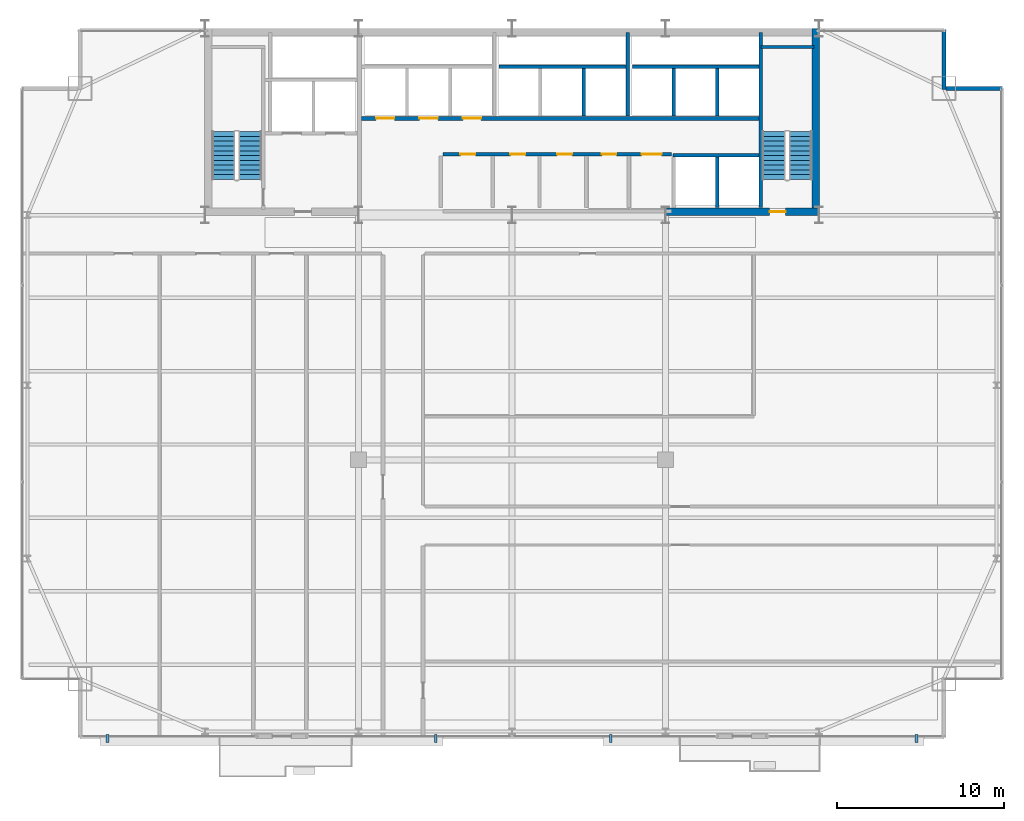
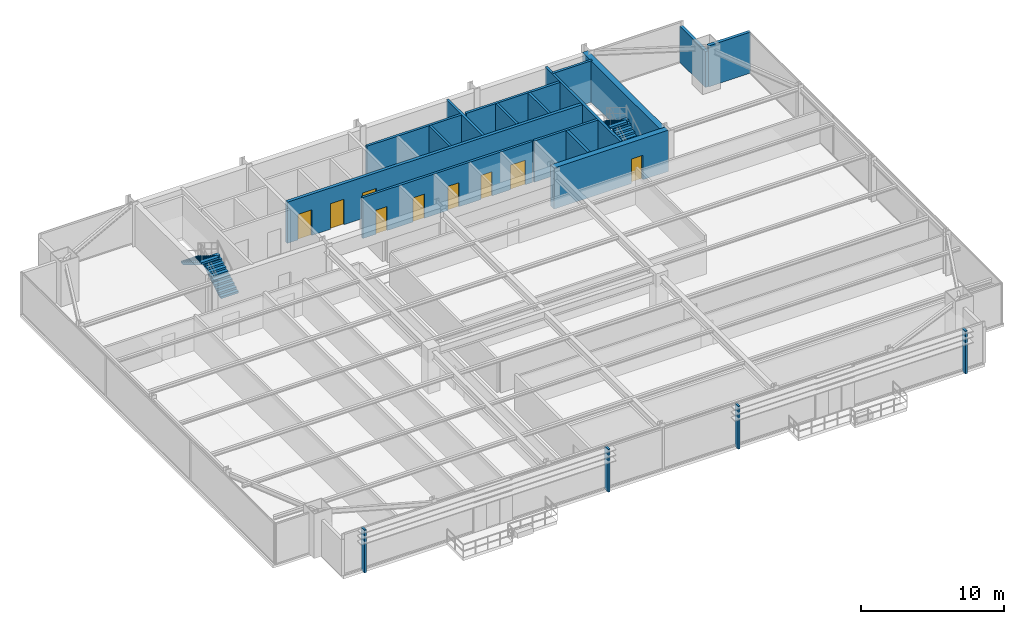
# One storey, part 29 of 31: 16 walls, 9 doors, 4 discrete accessories, 4 stair flights, 9 openings, 2 elements without a shape of their own.
"""IFC4 building model written with IfcOpenShell, lengths in metres."""

from ifc_helpers import new_model, si_unit, direction, frame, frame_2d, origin, origin_2d, place, context, subcontext, project, spatial, polyline, rectangle, outline, extrude, source, transform, mapped, material, layer, layer_set, type_object, type_shapes, element, fill, aggregate, save


model = new_model("IFC4")

# Units and contexts
model_context = context("Model", 3, precision=1e-05, world=origin(), true_north=direction((0.0, 1.0)))
body_context = subcontext(model_context, "Body", "Model", "MODEL_VIEW")
ifc_project = project(units=[si_unit("LENGTHUNIT", "METRE"), si_unit("AREAUNIT", "SQUARE_METRE"), si_unit("VOLUMEUNIT", "CUBIC_METRE"), si_unit("PLANEANGLEUNIT", "RADIAN"), si_unit("MASSUNIT", "GRAM", prefix="KILO")], contexts=[model_context])

# Site, building, storey
site_placement = place(None, origin())
site = spatial("IfcSite", under=ifc_project, at=site_placement, CompositionType="ELEMENT")
building_placement = place(site_placement, origin())
building = spatial("IfcBuilding", under=site, at=building_placement, Name="Varnel Quay Broadcast Tower", CompositionType="ELEMENT")
storey_placement = place(building_placement, frame((0.0, 0.0, 94.60009765625)))
storey = spatial("IfcBuildingStorey", under=building, at=storey_placement, Name="L22", CompositionType="ELEMENT", Elevation=94.60009765625)

# Walls
ifc_material_1 = material(Name="Concrete CSA A23.3 C50/60", Category="concrete")
ifc_layer_1 = layer(ifc_material_1, 0.199951171875, Name="Concrete CSA A23.3 C50/60")
ifc_layer_set_1 = layer_set([ifc_layer_1], Name="Concrete CSA A23.3 C50/60")
wall_type_1 = type_object("IfcWallType", Name="Wall_CoreShaftShear200", PredefinedType="SHEAR", material=ifc_layer_set_1)
wall_1_placement = place(storey_placement, frame((48.919921875, 36.050048828125, 0.0), z_axis=(0.0, 0.0, 1.0), x_axis=(0.0, 1.0, 0.0)))
element("IfcWall", 1, at=wall_1_placement, inside=storey, type_object=wall_type_1, Name="L22 Stair 2 West Structural Wall", PredefinedType="SHEAR", context=body_context, shape_type="SweptSolid", body=[
    extrude(rectangle(XDim=10.5, YDim=0.199951171875, at=frame_2d((5.25, 0.0))), origin(), (0.0, 0.0, 1.0), 3.52001953125),
])
wall_2_placement = place(storey_placement, frame((48.919921875, 45.679931640625, 0.0), z_axis=(0.0, 0.0, 1.0), x_axis=(1.0, 0.0, 0.0)))
element("IfcWall", 2, at=wall_2_placement, inside=storey, type_object=wall_type_1, Name="L22 Stair 2 North Structural Wall", PredefinedType="SHEAR", context=body_context, shape_type="SweptSolid", body=[
    extrude(rectangle(XDim=3.18017578125, YDim=0.199951171875, at=frame_2d((1.590087890625, 0.0))), origin(), (0.0, 0.0, 1.0), 3.52001953125),
])
wall_3_placement = place(storey_placement, frame((33.219970703125, 44.5, 0.0), z_axis=(0.0, 0.0, 1.0), x_axis=(1.0, 0.0, 0.0)))
element("IfcWall", 3, at=wall_3_placement, inside=storey, type_object=wall_type_1, Name="L22 Mid-Rise Lift Shaft Rear Wall", PredefinedType="SHEAR", context=body_context, shape_type="SweptSolid", body=[
    extrude(rectangle(XDim=7.630126953125, YDim=0.199951171875, at=frame_2d((3.81494140625, 0.0))), origin(), (0.0, 0.0, 1.0), 3.52001953125),
])
wall_4_placement = place(storey_placement, frame((38.300048828125, 41.530029296875, 0.0), z_axis=(0.0, 0.0, 1.0), x_axis=(0.0, 1.0, 0.0)))
element("IfcWall", 4, at=wall_4_placement, inside=storey, type_object=wall_type_1, Name="L22 Mid-Rise Lift Shaft Divider 3", PredefinedType="SHEAR", context=body_context, shape_type="SweptSolid", body=[
    extrude(rectangle(XDim=2.869873046875, YDim=0.199951171875, at=frame_2d((1.43505859375, 0.0))), origin(), (0.0, 0.0, 1.0), 3.52001953125),
])
wall_5_placement = place(storey_placement, frame((40.949951171875, 41.530029296875, 0.0), z_axis=(0.0, 0.0, 1.0), x_axis=(0.0, 1.0, 0.0)))
element("IfcWall", 5, at=wall_5_placement, inside=storey, type_object=wall_type_1, Name="L22 Mid-Rise Lift Shaft Divider 4", PredefinedType="SHEAR", context=body_context, shape_type="SweptSolid", body=[
    extrude(rectangle(XDim=5.02001953125, YDim=0.199951171875, at=frame_2d((2.510009765625, 0.0))), origin(), (0.0, 0.0, 1.0), 3.52001953125),
])
wall_6_placement = place(storey_placement, frame((41.219970703125, 44.5, 0.0), z_axis=(0.0, 0.0, 1.0), x_axis=(1.0, 0.0, 0.0)))
element("IfcWall", 6, at=wall_6_placement, inside=storey, type_object=wall_type_1, Name="L22 High-Rise Lift Shaft Rear Wall", PredefinedType="SHEAR", context=body_context, shape_type="SweptSolid", body=[
    extrude(rectangle(XDim=7.580078125, YDim=0.199951171875, at=frame_2d((3.7900390625, 0.0))), origin(), (0.0, 0.0, 1.0), 3.52001953125),
])
for number, where, z_axis, x_axis, name in (
    (7, (43.699951171875, 41.530029296875, 0.0), (0.0, 0.0, 1.0), (0.0, 1.0, 0.0), "L22 High-Rise Lift Shaft Divider 2"),
    (8, (46.300048828125, 41.530029296875, 0.0), (0.0, 0.0, 1.0), (0.0, 1.0, 0.0), "L22 High-Rise Lift Shaft Divider 3"),
):
    element("IfcWall", number, at=place(storey_placement, frame(where, z_axis=z_axis, x_axis=x_axis)), inside=storey, type_object=wall_type_1, Name=name, PredefinedType="SHEAR", context=body_context, shape_type="SweptSolid", body=[
        extrude(rectangle(XDim=2.869873046875, YDim=0.199951171875, at=frame_2d((1.43505859375, 0.0))), origin(), (0.0, 0.0, 1.0), 3.52001953125),
    ])
wall_7_placement = place(storey_placement, frame((46.300048828125, 36.050048828125, 0.0), z_axis=(0.0, 0.0, 1.0), x_axis=(0.0, 1.0, 0.0)))
element("IfcWall", 9, at=wall_7_placement, inside=storey, type_object=wall_type_1, Name="L22 Express Lift Shaft Divider", PredefinedType="SHEAR", context=body_context, shape_type="SweptSolid", body=[
    extrude(rectangle(XDim=3.050048828125, YDim=0.199951171875, at=frame_2d((1.52490234375, 0.0))), origin(), (0.0, 0.0, 1.0), 3.52001953125),
])
wall_8_placement = place(storey_placement, frame((43.64990234375, 39.199951171875, 0.0), z_axis=(0.0, 0.0, 1.0), x_axis=(1.0, 0.0, 0.0)))
element("IfcWall", 10, at=wall_8_placement, inside=storey, type_object=wall_type_1, Name="L22 Express Lift Shaft North Front Wall", PredefinedType="SHEAR", context=body_context, shape_type="SweptSolid", body=[
    extrude(rectangle(XDim=5.150146484375, YDim=0.199951171875, at=frame_2d((2.5751953125, 0.0))), origin(), (0.0, 0.0, 1.0), 3.52001953125),
])

# Wall, openings, doors
ifc_layer_2 = layer(ifc_material_1, 0.25, Name="Concrete CSA A23.3 C50/60")
ifc_layer_set_2 = layer_set([ifc_layer_2], Name="Concrete CSA A23.3 C50/60")
wall_type_2 = type_object("IfcWallType", Name="Wall_CoreShaftShear250", PredefinedType="SHEAR", material=ifc_layer_set_2)
wall_9_placement = place(storey_placement, frame((24.97998046875, 41.39990234375, 0.0), z_axis=(0.0, 0.0, 1.0), x_axis=(1.0, 0.0, 0.0)))
wall_9 = element("IfcWall", 11, at=wall_9_placement, inside=storey, type_object=wall_type_2, Name="L22 North Lift Bank & Reclaimed Suite Wall", PredefinedType="SHEAR", context=body_context, shape_type="SweptSolid", body=[
    extrude(rectangle(XDim=23.820068359375, YDim=0.25, at=frame_2d((11.91015625, 0.0))), origin(), (0.0, 0.0, 1.0), 3.52001953125),
])
opening_1_placement = place(wall_9_placement, frame((0.8701171875, 0.0, 0.0)))
opening_1 = element("IfcOpeningElement", 12, at=opening_1_placement, cuts=wall_9, Name="Opening LD-L22-PL-01", PredefinedType="OPENING", context=body_context, shape_type="SweptSolid", body=[
    extrude(rectangle(XDim=1.10009765625, YDim=2.179931640625, at=frame_2d((0.550048828125, 1.08984375))), frame((0.0, 0.135009765625, 0.0), z_axis=(0.0, -1.0, 0.0), x_axis=(1.0, 0.0, 0.0)), (0.0, 0.0, 1.0), 0.27001953125),
])
opening_2_placement = place(wall_9_placement, frame((3.469970703125, 0.0, 0.0)))
opening_2 = element("IfcOpeningElement", 13, at=opening_2_placement, cuts=wall_9, Name="Opening LD-L22-PL-02", PredefinedType="OPENING", context=body_context, shape_type="SweptSolid", body=[
    extrude(rectangle(XDim=1.10009765625, YDim=2.179931640625, at=frame_2d((0.550048828125, 1.08984375))), frame((0.0, 0.135009765625, 0.0), z_axis=(0.0, -1.0, 0.0), x_axis=(1.0, 0.0, 0.0)), (0.0, 0.0, 1.0), 0.27001953125),
])
opening_3_placement = place(wall_9_placement, frame((6.070068359375, 0.0, 0.0)))
opening_3 = element("IfcOpeningElement", 14, at=opening_3_placement, cuts=wall_9, Name="Opening LD-L22-PL-03", PredefinedType="OPENING", context=body_context, shape_type="SweptSolid", body=[
    extrude(rectangle(XDim=1.10009765625, YDim=2.179931640625, at=frame_2d((0.550048828125, 1.08984375))), frame((0.0, 0.135009765625, 0.0), z_axis=(0.0, -1.0, 0.0), x_axis=(1.0, 0.0, 0.0)), (0.0, 0.0, 1.0), 0.27001953125),
])
ifc_material_2 = material(Name="Brushed Bronze-Stainless Lift Car & Sliding Doors", Category="steel")
door_type_1 = type_object("IfcDoorType", Name="Door_LiftLanding1100", OperationType="SLIDING_TO_LEFT", PredefinedType="DOOR", material=ifc_material_2)
shared_shape_1 = source(origin(), body_context, "Body", "SweptSolid", [
    extrude(rectangle(XDim=1.10009765625, YDim=2.179931640625, at=frame_2d((0.550048828125, 1.08984375))), frame((0.0, 0.02490234375, 0.0), z_axis=(0.0, -1.0, 0.0), x_axis=(1.0, 0.0, 0.0)), (0.0, 0.0, 1.0), 0.050048828125),
])
type_shapes(door_type_1, [shared_shape_1])
door_1_placement = place(opening_1_placement, frame((1.10009765625, 0.0, 0.0), z_axis=(0.0, 0.0, 1.0), x_axis=(-1.0, 0.0, 0.0)))
door_1 = element("IfcDoor", 15, at=door_1_placement, inside=storey, type_object=door_type_1, Name="L22 Lift PL-01 Landing Door", OperationType="SLIDING_TO_LEFT", OverallHeight=2.179931640625, OverallWidth=1.10009765625, PredefinedType="DOOR", context=body_context, shape_type="MappedRepresentation", body=[
    mapped(shared_shape_1, transform((0.0, 0.0, 0.0), x_axis=(1.0, 0.0, 0.0), y_axis=(0.0, 1.0, 0.0), z_axis=(0.0, 0.0, 1.0), scale=1.0)),
])
fill(opening_1, door_1)
door_2_placement = place(opening_2_placement, frame((1.10009765625, 0.0, 0.0), z_axis=(0.0, 0.0, 1.0), x_axis=(-1.0, 0.0, 0.0)))
door_2 = element("IfcDoor", 16, at=door_2_placement, inside=storey, type_object=door_type_1, Name="L22 Lift PL-02 Landing Door", OperationType="SLIDING_TO_LEFT", OverallHeight=2.179931640625, OverallWidth=1.10009765625, PredefinedType="DOOR", context=body_context, shape_type="MappedRepresentation", body=[
    mapped(shared_shape_1, transform((0.0, 0.0, 0.0), x_axis=(1.0, 0.0, 0.0), y_axis=(0.0, 1.0, 0.0), z_axis=(0.0, 0.0, 1.0), scale=1.0)),
])
fill(opening_2, door_2)
door_3_placement = place(opening_3_placement, frame((1.10009765625, 0.0, 0.0), z_axis=(0.0, 0.0, 1.0), x_axis=(-1.0, 0.0, 0.0)))
door_3 = element("IfcDoor", 17, at=door_3_placement, inside=storey, type_object=door_type_1, Name="L22 Lift PL-03 Landing Door", OperationType="SLIDING_TO_LEFT", OverallHeight=2.179931640625, OverallWidth=1.10009765625, PredefinedType="DOOR", context=body_context, shape_type="MappedRepresentation", body=[
    mapped(shared_shape_1, transform((0.0, 0.0, 0.0), x_axis=(1.0, 0.0, 0.0), y_axis=(0.0, 1.0, 0.0), z_axis=(0.0, 0.0, 1.0), scale=1.0)),
])
fill(opening_3, door_3)

# Wall
ifc_material_3 = material(Name="Concrete CSA A23.3 C60/75", Category="concrete")
ifc_layer_3 = layer(ifc_material_3, 0.449951171875, Name="Concrete CSA A23.3 C60/75")
ifc_layer_set_3 = layer_set([ifc_layer_3], Name="Concrete CSA A23.3 C60/75")
wall_type_3 = type_object("IfcWallType", Name="Wall_CoreShearInt450", PredefinedType="SHEAR", material=ifc_layer_set_3)
wall_10_placement = place(storey_placement, frame((52.205078125, 35.570068359375, 0.0), z_axis=(0.0, 0.0, 1.0), x_axis=(0.0, 1.0, 0.0)))
element("IfcWall", 18, at=wall_10_placement, inside=storey, type_object=wall_type_3, Name="L22 East Core Shear Wall", PredefinedType="SHEAR", context=body_context, shape_type="SweptSolid", body=[
    extrude(rectangle(XDim=11.22998046875, YDim=0.449951171875, at=frame_2d((5.614990234375, 0.0))), origin(), (0.0, 0.0, 1.0), 3.52001953125),
])

# Wall, opening, door
wall_11_placement = place(storey_placement, frame((43.199951171875, 35.794921875, 0.0), z_axis=(0.0, 0.0, 1.0), x_axis=(1.0, 0.0, 0.0)))
wall_11 = element("IfcWall", 19, at=wall_11_placement, inside=storey, type_object=wall_type_3, Name="L22 South-East Core Shear Wall", PredefinedType="SHEAR", context=body_context, shape_type="SweptSolid", body=[
    extrude(rectangle(XDim=9.22998046875, YDim=0.449951171875, at=frame_2d((4.614990234375, 0.0))), origin(), (0.0, 0.0, 1.0), 3.52001953125),
])
opening_4_placement = place(wall_11_placement, frame((6.25, 0.0, 0.0)))
opening_4 = element("IfcOpeningElement", 20, at=opening_4_placement, cuts=wall_11, Name="Opening D-L22-S2", PredefinedType="OPENING", context=body_context, shape_type="SweptSolid", body=[
    extrude(rectangle(XDim=0.949951171875, YDim=2.10009765625, at=frame_2d((0.47509765625, 1.050048828125))), frame((0.0, 0.23486328125, 0.0), z_axis=(0.0, -1.0, 0.0), x_axis=(1.0, 0.0, 0.0)), (0.0, 0.0, 1.0), 0.469970703125),
])
ifc_material_4 = material(Name="Insulated Fire-Rated Hollow Steel Door", Category="steel")
door_type_2 = type_object("IfcDoorType", Name="Door_FireStair950", OperationType="NOTDEFINED", PredefinedType="DOOR", material=ifc_material_4)
shared_shape_2 = source(origin(), body_context, "Body", "SweptSolid", [
    extrude(rectangle(XDim=0.949951171875, YDim=2.10009765625, at=frame_2d((0.47509765625, 1.050048828125))), frame((0.0, 0.02490234375, 0.0), z_axis=(0.0, -1.0, 0.0), x_axis=(1.0, 0.0, 0.0)), (0.0, 0.0, 1.0), 0.050048828125),
])
type_shapes(door_type_2, [shared_shape_2])
door_4_placement = place(opening_4_placement, origin())
door_4 = element("IfcDoor", 21, at=door_4_placement, inside=storey, type_object=door_type_2, Name="L22 Stair 2 Fire Door", OperationType="SINGLE_SWING_RIGHT", OverallHeight=2.10009765625, OverallWidth=0.949951171875, PredefinedType="DOOR", context=body_context, shape_type="MappedRepresentation", body=[
    mapped(shared_shape_2, transform((0.0, 0.0, 0.0), x_axis=(1.0, 0.0, 0.0), y_axis=(0.0, 1.0, 0.0), z_axis=(0.0, 0.0, 1.0), scale=1.0)),
])
fill(opening_4, door_4)

# Walls
ifc_material_5 = material(Name="Precast Architectural Concrete C40/50", Category="concrete")
ifc_layer_4 = layer(ifc_material_5, 0.25, Name="Precast Architectural Concrete C40/50")
ifc_layer_set_4 = layer_set([ifc_layer_4], Name="Precast Architectural Concrete C40/50")
wall_type_4 = type_object("IfcWallType", Name="Wall_ExtTerrace250", PredefinedType="SOLIDWALL", material=ifc_layer_set_4)
wall_12_placement = place(storey_placement, frame((60.030029296875, 43.199951171875, 0.0), z_axis=(0.0, 0.0, 1.0), x_axis=(1.0, 0.0, 0.0)))
element("IfcWall", 22, at=wall_12_placement, inside=storey, type_object=wall_type_4, Name="L22 Mega-Column Notch Cladding Wall NNE1", PredefinedType="SOLIDWALL", context=body_context, shape_type="SweptSolid", body=[
    extrude(rectangle(XDim=3.389892578125, YDim=0.25, at=frame_2d((1.69482421875, 0.0))), origin(), (0.0, 0.0, 1.0), 3.5),
])
wall_13_placement = place(storey_placement, frame((59.89990234375, 43.1201171875, 0.0), z_axis=(0.0, 0.0, 1.0), x_axis=(0.0, 1.0, 0.0)))
element("IfcWall", 23, at=wall_13_placement, inside=storey, type_object=wall_type_4, Name="L22 Mega-Column Notch Cladding Wall NNE2", PredefinedType="SOLIDWALL", context=body_context, shape_type="SweptSolid", body=[
    extrude(rectangle(XDim=3.599853515625, YDim=0.25, at=frame_2d((1.7998046875, 0.0))), origin(), (0.0, 0.0, 1.0), 3.077880859375),
])

# Wall, openings, doors
ifc_material_6 = material(Name="Concrete Blockwork Fire Enclosure C40/50", Category="masonry")
ifc_layer_5 = layer(ifc_material_6, 0.199951171875, Name="Concrete Blockwork Fire Enclosure C40/50")
ifc_layer_set_5 = layer_set([ifc_layer_5], Name="Concrete Blockwork Fire Enclosure C40/50")
wall_type_5 = type_object("IfcWallType", Name="Wall_FireShaft200", PredefinedType="SOLIDWALL", material=ifc_layer_set_5)
wall_14_placement = place(storey_placement, frame((29.85009765625, 39.25, 0.0), z_axis=(0.0, 0.0, 1.0), x_axis=(1.0, 0.0, 0.0)))
wall_14 = element("IfcWall", 24, at=wall_14_placement, inside=storey, type_object=wall_type_5, Name="L22 Accessible Washroom Partition 3", PredefinedType="SOLIDWALL", context=body_context, shape_type="SweptSolid", body=[
    extrude(rectangle(XDim=13.699951171875, YDim=0.199951171875, at=frame_2d((6.85009765625, 0.0))), origin(), (0.0, 0.0, 1.0), 3.5),
])
opening_5_placement = place(wall_14_placement, frame((1.050048828125, 0.0, 0.0)))
opening_5 = element("IfcOpeningElement", 25, at=opening_5_placement, cuts=wall_14, Name="Opening D-L22-01", PredefinedType="OPENING", context=body_context, shape_type="SweptSolid", body=[
    extrude(rectangle(XDim=0.89990234375, YDim=2.06005859375, at=frame_2d((0.449951171875, 1.030029296875))), frame((0.0, 0.10986328125, 0.0), z_axis=(0.0, -1.0, 0.0), x_axis=(1.0, 0.0, 0.0)), (0.0, 0.0, 1.0), 0.219970703125),
])
opening_6_placement = place(wall_14_placement, frame((4.050048828125, 0.0, 0.0)))
opening_6 = element("IfcOpeningElement", 26, at=opening_6_placement, cuts=wall_14, Name="Opening D-L22-02", PredefinedType="OPENING", context=body_context, shape_type="SweptSolid", body=[
    extrude(rectangle(XDim=0.89990234375, YDim=2.06005859375, at=frame_2d((0.449951171875, 1.030029296875))), frame((0.0, 0.10986328125, 0.0), z_axis=(0.0, -1.0, 0.0), x_axis=(1.0, 0.0, 0.0)), (0.0, 0.0, 1.0), 0.219970703125),
])
opening_7_placement = place(wall_14_placement, frame((6.85009765625, 0.0, 0.0)))
opening_7 = element("IfcOpeningElement", 27, at=opening_7_placement, cuts=wall_14, Name="Opening D-L22-03", PredefinedType="OPENING", context=body_context, shape_type="SweptSolid", body=[
    extrude(rectangle(XDim=0.89990234375, YDim=2.06005859375, at=frame_2d((0.449951171875, 1.030029296875))), frame((0.0, 0.10986328125, 0.0), z_axis=(0.0, -1.0, 0.0), x_axis=(1.0, 0.0, 0.0)), (0.0, 0.0, 1.0), 0.219970703125),
])
opening_8_placement = place(wall_14_placement, frame((9.534912109375, 0.0, 0.0)))
opening_8 = element("IfcOpeningElement", 28, at=opening_8_placement, cuts=wall_14, Name="Opening D-L22-04", PredefinedType="OPENING", context=body_context, shape_type="SweptSolid", body=[
    extrude(rectangle(XDim=0.8798828125, YDim=2.06005859375, at=frame_2d((0.43994140625, 1.030029296875))), frame((0.0, 0.10986328125, 0.0), z_axis=(0.0, -1.0, 0.0), x_axis=(1.0, 0.0, 0.0)), (0.0, 0.0, 1.0), 0.219970703125),
])
opening_9_placement = place(wall_14_placement, frame((11.925048828125, 0.0, 0.0)))
opening_9 = element("IfcOpeningElement", 29, at=opening_9_placement, cuts=wall_14, Name="Opening D-L22-05", PredefinedType="OPENING", context=body_context, shape_type="SweptSolid", body=[
    extrude(rectangle(XDim=1.199951171875, YDim=2.10009765625, at=frame_2d((0.60009765625, 1.050048828125))), frame((0.0, 0.10986328125, 0.0), z_axis=(0.0, -1.0, 0.0), x_axis=(1.0, 0.0, 0.0)), (0.0, 0.0, 1.0), 0.219970703125),
])
ifc_material_7 = material(Name="Solid-Core Fire-Rated Acoustic Oak Veneer Door", Category="wood")
door_type_3 = type_object("IfcDoorType", Name="Door_Washroom900", OperationType="NOTDEFINED", PredefinedType="DOOR", material=ifc_material_7)
shared_shape_3 = source(origin(), body_context, "Body", "SweptSolid", [
    extrude(rectangle(XDim=0.89990234375, YDim=2.06005859375, at=frame_2d((0.449951171875, 1.030029296875))), frame((0.0, 0.02490234375, 0.0), z_axis=(0.0, -1.0, 0.0), x_axis=(1.0, 0.0, 0.0)), (0.0, 0.0, 1.0), 0.050048828125),
])
type_shapes(door_type_3, [shared_shape_3])
door_5_placement = place(opening_5_placement, frame((0.89990234375, 0.0, 0.0), z_axis=(0.0, 0.0, 1.0), x_axis=(-1.0, 0.0, 0.0)))
door_5 = element("IfcDoor", 30, at=door_5_placement, inside=storey, type_object=door_type_3, Name="L22 Accessible Washroom Door D-L22-01", OperationType="SINGLE_SWING_LEFT", OverallHeight=2.06005859375, OverallWidth=0.89990234375, PredefinedType="DOOR", context=body_context, shape_type="MappedRepresentation", body=[
    mapped(shared_shape_3, transform((0.0, 0.0, 0.0), x_axis=(1.0, 0.0, 0.0), y_axis=(0.0, 1.0, 0.0), z_axis=(0.0, 0.0, 1.0), scale=1.0)),
])
fill(opening_5, door_5)
door_6_placement = place(opening_6_placement, frame((0.89990234375, 0.0, 0.0), z_axis=(0.0, 0.0, 1.0), x_axis=(-1.0, 0.0, 0.0)))
door_6 = element("IfcDoor", 31, at=door_6_placement, inside=storey, type_object=door_type_3, Name="L22 West Gender-Neutral Washroom Door D-L22-02", OperationType="SINGLE_SWING_RIGHT", OverallHeight=2.06005859375, OverallWidth=0.89990234375, PredefinedType="DOOR", context=body_context, shape_type="MappedRepresentation", body=[
    mapped(shared_shape_3, transform((0.0, 0.0, 0.0), x_axis=(1.0, 0.0, 0.0), y_axis=(0.0, 1.0, 0.0), z_axis=(0.0, 0.0, 1.0), scale=1.0)),
])
fill(opening_6, door_6)
door_7_placement = place(opening_7_placement, frame((0.89990234375, 0.0, 0.0), z_axis=(0.0, 0.0, 1.0), x_axis=(-1.0, 0.0, 0.0)))
door_7 = element("IfcDoor", 32, at=door_7_placement, inside=storey, type_object=door_type_3, Name="L22 East Staff Washroom Door D-L22-03", OperationType="SINGLE_SWING_LEFT", OverallHeight=2.06005859375, OverallWidth=0.89990234375, PredefinedType="DOOR", context=body_context, shape_type="MappedRepresentation", body=[
    mapped(shared_shape_3, transform((0.0, 0.0, 0.0), x_axis=(1.0, 0.0, 0.0), y_axis=(0.0, 1.0, 0.0), z_axis=(0.0, 0.0, 1.0), scale=1.0)),
])
fill(opening_7, door_7)
door_type_4 = type_object("IfcDoorType", Name="Door_Plant1200", OperationType="NOTDEFINED", PredefinedType="DOOR", material=ifc_material_4)
shared_shape_4 = source(origin(), body_context, "Body", "SweptSolid", [
    extrude(rectangle(XDim=1.199951171875, YDim=2.10009765625, at=frame_2d((0.60009765625, 1.050048828125))), frame((0.0, 0.02490234375, 0.0), z_axis=(0.0, -1.0, 0.0), x_axis=(1.0, 0.0, 0.0)), (0.0, 0.0, 1.0), 0.050048828125),
])
type_shapes(door_type_4, [shared_shape_4])
door_8_placement = place(opening_9_placement, origin())
door_8 = element("IfcDoor", 33, at=door_8_placement, inside=storey, type_object=door_type_4, Name="L22 Telecom IDF Closet Door D-L22-05", OperationType="SINGLE_SWING_LEFT", OverallHeight=2.10009765625, OverallWidth=1.199951171875, PredefinedType="DOOR", context=body_context, shape_type="MappedRepresentation", body=[
    mapped(shared_shape_4, transform((0.0, 0.0, 0.0), x_axis=(1.0, 0.0, 0.0), y_axis=(0.0, 1.0, 0.0), z_axis=(0.0, 0.0, 1.0), scale=1.0)),
])
fill(opening_9, door_8)
door_type_5 = type_object("IfcDoorType", Name="Door_Booth880", OperationType="NOTDEFINED", PredefinedType="DOOR", material=ifc_material_7)
shared_shape_5 = source(origin(), body_context, "Body", "SweptSolid", [
    extrude(rectangle(XDim=0.8798828125, YDim=2.06005859375, at=frame_2d((0.43994140625, 1.030029296875))), frame((0.0, 0.02490234375, 0.0), z_axis=(0.0, -1.0, 0.0), x_axis=(1.0, 0.0, 0.0)), (0.0, 0.0, 1.0), 0.050048828125),
])
type_shapes(door_type_5, [shared_shape_5])
door_9_placement = place(opening_8_placement, frame((0.8798828125, 0.0, 0.0), z_axis=(0.0, 0.0, 1.0), x_axis=(-1.0, 0.0, 0.0)))
door_9 = element("IfcDoor", 34, at=door_9_placement, inside=storey, type_object=door_type_5, Name="L22 Cleaners' & Linen Store Door D-L22-04", OperationType="SINGLE_SWING_RIGHT", OverallHeight=2.06005859375, OverallWidth=0.8798828125, PredefinedType="DOOR", context=body_context, shape_type="MappedRepresentation", body=[
    mapped(shared_shape_5, transform((0.0, 0.0, 0.0), x_axis=(1.0, 0.0, 0.0), y_axis=(0.0, 1.0, 0.0), z_axis=(0.0, 0.0, 1.0), scale=1.0)),
])
fill(opening_8, door_9)

# Stair, stair flights
ifc_material_8 = material(Name="Precast Structural Concrete C40/50", Category="concrete")
stair_type_1 = type_object("IfcStairType", Name="Stair_ST-01", PredefinedType="HALF_TURN_STAIR", material=ifc_material_8)
stair_1_placement = place(storey_placement, origin())
stair_1 = element("IfcStair", 35, at=stair_1_placement, inside=storey, type_object=stair_type_1, Name="L22 West Core Exit Stair 1", PredefinedType="HALF_TURN_STAIR")
stair_flight_type_1 = type_object("IfcStairFlightType", Name="Flight_ST-01", PredefinedType="STRAIGHT", material=ifc_material_8)
stair_flight_1_placement = place(storey_placement, frame((18.300048828125, 37.75, 0.0), z_axis=(0.0, 0.0, 1.0), x_axis=(0.0, 1.0, 0.0)))
stair_flight_1 = element("IfcStairFlight", 36, at=stair_flight_1_placement, type_object=stair_flight_type_1, Name="ST-01 flight 1", NumberOfRisers=11, NumberOfTreads=10, PredefinedType="STRAIGHT", RiserHeight=0.172727273, TreadLength=0.285, context=body_context, shape_type="SweptSolid", body=[
    extrude(outline(polyline([(0.0, 0.0), (0.0, 0.172607421875), (0.284912109375, 0.172607421875), (0.284912109375, 0.345458984375), (0.570068359375, 0.345458984375), (0.570068359375, 0.51806640625), (0.85498046875, 0.51806640625), (0.85498046875, 0.69091796875), (1.139892578125, 0.69091796875), (1.139892578125, 0.863525390625), (1.425048828125, 0.863525390625), (1.425048828125, 1.036376953125), (1.7099609375, 1.036376953125), (1.7099609375, 1.208984375), (1.9951171875, 1.208984375), (1.9951171875, 1.3818359375), (2.280029296875, 1.3818359375), (2.280029296875, 1.554443359375), (2.56494140625, 1.554443359375), (2.56494140625, 1.727294921875), (2.85009765625, 1.727294921875), (2.85009765625, 1.89990234375), (2.85009765625, 1.552001953125), (0.289306640625, 0.0), (0.0, 0.0)])), frame((0.0, 0.699951171875, 0.0), z_axis=(0.0, -1.0, 0.0), x_axis=(1.0, 0.0, 0.0)), (0.0, 0.0, 1.0), 1.39990234375),
])
stair_flight_2_placement = place(storey_placement, frame((16.699951171875, 40.60009765625, 1.89990234375), z_axis=(0.0, 0.0, 1.0), x_axis=(0.0, -1.0, 0.0)))
stair_flight_2 = element("IfcStairFlight", 37, at=stair_flight_2_placement, type_object=stair_flight_type_1, Name="ST-01 flight 2", NumberOfRisers=11, NumberOfTreads=10, PredefinedType="STRAIGHT", RiserHeight=0.172727273, TreadLength=0.285, context=body_context, shape_type="SweptSolid", body=[
    extrude(outline(polyline([(0.0, 0.0), (0.0, 0.172607421875), (0.284912109375, 0.172607421875), (0.284912109375, 0.345458984375), (0.570068359375, 0.345458984375), (0.570068359375, 0.51806640625), (0.85498046875, 0.51806640625), (0.85498046875, 0.69091796875), (1.139892578125, 0.69091796875), (1.139892578125, 0.863525390625), (1.425048828125, 0.863525390625), (1.425048828125, 1.036376953125), (1.7099609375, 1.036376953125), (1.7099609375, 1.208984375), (1.9951171875, 1.208984375), (1.9951171875, 1.3818359375), (2.280029296875, 1.3818359375), (2.280029296875, 1.554443359375), (2.56494140625, 1.554443359375), (2.56494140625, 1.727294921875), (2.85009765625, 1.727294921875), (2.85009765625, 1.89990234375), (2.85009765625, 1.552001953125), (0.289306640625, 0.0), (0.0, 0.0)])), frame((0.0, 0.699951171875, 0.0), z_axis=(0.0, -1.0, 0.0), x_axis=(1.0, 0.0, 0.0)), (0.0, 0.0, 1.0), 1.39990234375),
])
aggregate(stair_1, [stair_flight_1, stair_flight_2])

stair_type_2 = type_object("IfcStairType", Name="Stair_ST-02", PredefinedType="HALF_TURN_STAIR", material=ifc_material_8)
stair_2_placement = place(storey_placement, origin())
stair_2 = element("IfcStair", 38, at=stair_2_placement, inside=storey, type_object=stair_type_2, Name="L22 East Core Exit Stair 2", PredefinedType="HALF_TURN_STAIR")
stair_flight_type_2 = type_object("IfcStairFlightType", Name="Flight_ST-02", PredefinedType="STRAIGHT", material=ifc_material_8)
stair_flight_3_placement = place(storey_placement, frame((51.300048828125, 37.75, 0.0), z_axis=(0.0, 0.0, 1.0), x_axis=(0.0, 1.0, 0.0)))
stair_flight_3 = element("IfcStairFlight", 39, at=stair_flight_3_placement, type_object=stair_flight_type_2, Name="ST-02 flight 1", NumberOfRisers=11, NumberOfTreads=10, PredefinedType="STRAIGHT", RiserHeight=0.172727273, TreadLength=0.285, context=body_context, shape_type="SweptSolid", body=[
    extrude(outline(polyline([(0.0, 0.0), (0.0, 0.172607421875), (0.284912109375, 0.172607421875), (0.284912109375, 0.345458984375), (0.570068359375, 0.345458984375), (0.570068359375, 0.51806640625), (0.85498046875, 0.51806640625), (0.85498046875, 0.69091796875), (1.139892578125, 0.69091796875), (1.139892578125, 0.863525390625), (1.425048828125, 0.863525390625), (1.425048828125, 1.036376953125), (1.7099609375, 1.036376953125), (1.7099609375, 1.208984375), (1.9951171875, 1.208984375), (1.9951171875, 1.3818359375), (2.280029296875, 1.3818359375), (2.280029296875, 1.554443359375), (2.56494140625, 1.554443359375), (2.56494140625, 1.727294921875), (2.85009765625, 1.727294921875), (2.85009765625, 1.89990234375), (2.85009765625, 1.552001953125), (0.289306640625, 0.0), (0.0, 0.0)])), frame((0.0, 0.699951171875, 0.0), z_axis=(0.0, -1.0, 0.0), x_axis=(1.0, 0.0, 0.0)), (0.0, 0.0, 1.0), 1.39990234375),
])
stair_flight_4_placement = place(storey_placement, frame((49.699951171875, 40.60009765625, 1.89990234375), z_axis=(0.0, 0.0, 1.0), x_axis=(0.0, -1.0, 0.0)))
stair_flight_4 = element("IfcStairFlight", 40, at=stair_flight_4_placement, type_object=stair_flight_type_2, Name="ST-02 flight 2", NumberOfRisers=11, NumberOfTreads=10, PredefinedType="STRAIGHT", RiserHeight=0.172727273, TreadLength=0.285, context=body_context, shape_type="SweptSolid", body=[
    extrude(outline(polyline([(0.0, 0.0), (0.0, 0.172607421875), (0.284912109375, 0.172607421875), (0.284912109375, 0.345458984375), (0.570068359375, 0.345458984375), (0.570068359375, 0.51806640625), (0.85498046875, 0.51806640625), (0.85498046875, 0.69091796875), (1.139892578125, 0.69091796875), (1.139892578125, 0.863525390625), (1.425048828125, 0.863525390625), (1.425048828125, 1.036376953125), (1.7099609375, 1.036376953125), (1.7099609375, 1.208984375), (1.9951171875, 1.208984375), (1.9951171875, 1.3818359375), (2.280029296875, 1.3818359375), (2.280029296875, 1.554443359375), (2.56494140625, 1.554443359375), (2.56494140625, 1.727294921875), (2.85009765625, 1.727294921875), (2.85009765625, 1.89990234375), (2.85009765625, 1.552001953125), (0.289306640625, 0.0), (0.0, 0.0)])), frame((0.0, 0.699951171875, 0.0), z_axis=(0.0, -1.0, 0.0), x_axis=(1.0, 0.0, 0.0)), (0.0, 0.0, 1.0), 1.39990234375),
])
aggregate(stair_2, [stair_flight_3, stair_flight_4])

# Discrete accessories
ifc_material_9 = material(Name="Anodised Bronze Aluminium 6063-T6", Category="aluminium")
ifc_layer_6 = layer(ifc_material_9, 0.47998046875, Name="Anodised Bronze Aluminium 6063-T6")
ifc_layer_set_6 = layer_set([ifc_layer_6], Name="Anodised Bronze Aluminium 6063-T6")
discrete_accessory_type = type_object("IfcDiscreteAccessoryType", Name="Acc_FacadeBracket", PredefinedType="BRACKET", material=ifc_layer_set_6)
shared_shape_6 = source(origin(), body_context, "Body", "SweptSolid", [
    extrude(rectangle(XDim=0.159912109375, YDim=0.47998046875, at=origin_2d()), origin(), (0.0, 0.0, 1.0), 3.64990234375),
])
type_shapes(discrete_accessory_type, [shared_shape_6])
for number, where, z_axis, x_axis, name in (
    (41, (9.75, 4.219970703125, -0.150146484375), (0.0, 0.0, 1.0), (1.0, 0.0, 0.0), "L22 Lobe 1 Louvre Support Bracket 1"),
    (42, (29.4189453125, 4.219970703125, -0.150146484375), (0.0, 0.0, 1.0), (1.0, 0.0, 0.0), "L22 Lobe 1 Louvre Support Bracket 2"),
    (43, (39.9189453125, 4.219970703125, -0.150146484375), (0.0, 0.0, 1.0), (1.0, 0.0, 0.0), "L22 Lobe 2 Louvre Support Bracket 1"),
    (44, (58.25, 4.219970703125, -0.150146484375), (0.0, 0.0, 1.0), (1.0, 0.0, 0.0), "L22 Lobe 2 Louvre Support Bracket 2"),
):
    element("IfcDiscreteAccessory", number, at=place(storey_placement, frame(where, z_axis=z_axis, x_axis=x_axis)), inside=storey, type_object=discrete_accessory_type, Name=name, PredefinedType="BRACKET", context=body_context, shape_type="MappedRepresentation", body=[
        mapped(shared_shape_6, transform((0.0, 0.0, 0.0), x_axis=(1.0, 0.0, 0.0), y_axis=(0.0, 1.0, 0.0), z_axis=(0.0, 0.0, 1.0), scale=1.0)),
    ])

save(model, "model.ifc")
